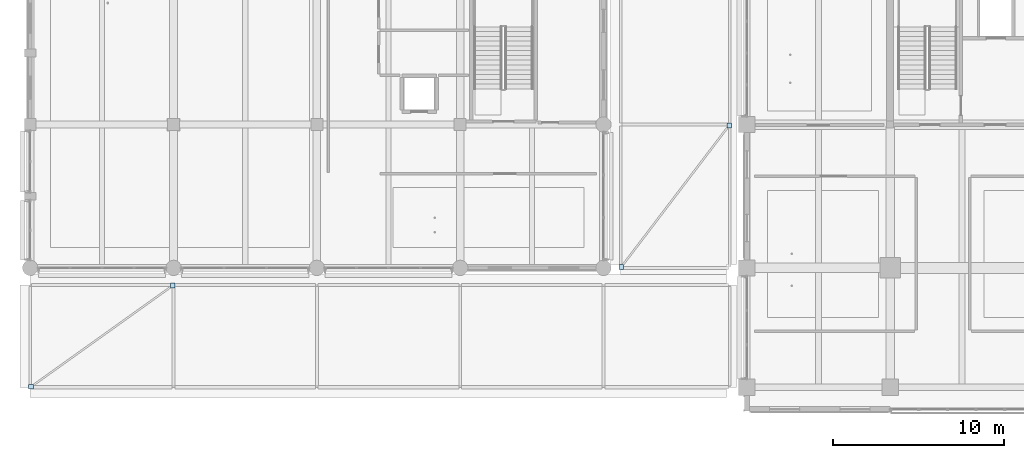
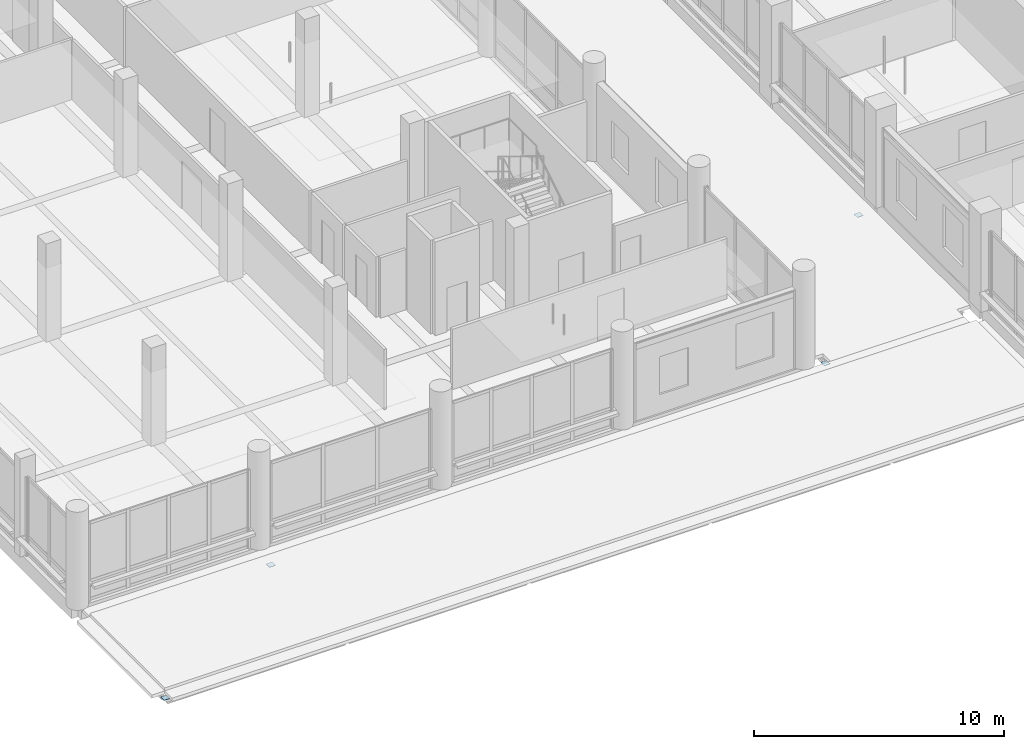
# One storey, part 44 of 128: 4 plates.
"""IFC4 building model written with IfcOpenShell, lengths in metres."""

from ifc_helpers import new_model, si_unit, direction, frame, origin, origin_2d, place, context, subcontext, project, spatial, rectangle, extrude, material, layer, layer_set, type_object, element, save


model = new_model("IFC4")

# Units and contexts
model_context = context("Model", 3, precision=1e-05, world=origin(), true_north=direction((0.0, 1.0)))
body_context = subcontext(model_context, "Body", "Model", "MODEL_VIEW")
ifc_project = project(units=[si_unit("LENGTHUNIT", "METRE"), si_unit("AREAUNIT", "SQUARE_METRE"), si_unit("VOLUMEUNIT", "CUBIC_METRE"), si_unit("PLANEANGLEUNIT", "RADIAN"), si_unit("MASSUNIT", "GRAM", prefix="KILO")], contexts=[model_context])

# Site, building, storey
site_placement = place(None, origin())
site = spatial("IfcSite", under=ifc_project, at=site_placement, CompositionType="ELEMENT")
building_placement = place(site_placement, origin())
building = spatial("IfcBuilding", under=site, at=building_placement, Name="Telukmera Botanical Conservatory", CompositionType="ELEMENT")
storey_placement = place(building_placement, frame((0.0, 0.0, 5.39990234375)))
storey = spatial("IfcBuildingStorey", under=building, at=storey_placement, Name="L01", CompositionType="ELEMENT", Elevation=5.39990234375)

# Plates
ifc_material = material(Name="Steel S355", Category="steel")
ifc_layer = layer(ifc_material, 0.01611328125)
ifc_layer_set = layer_set([ifc_layer], Name="Steel S355")
plate_type = type_object("IfcPlateType", Name="Plate_CP1", PredefinedType="USERDEFINED", material=ifc_layer_set)
for number, where, z_axis, x_axis, name in (
    (1, (8.44873046875, 10.635009765625, -0.387939453125), (0.0, 0.0, 1.0), (1.0, 0.0, 0.0), "CP1 Canopy Brace Cap forecourt"),
    (2, (16.751220703125, 16.565185546875, -0.387939453125), (0.0, 0.0, 1.0), (1.0, 0.0, 0.0), "CP1 Canopy Brace Cap forecourt"),
    (3, (43.036376953125, 17.647705078125, -0.387939453125), (0.0, 0.0, 1.0), (1.0, 0.0, 0.0), "CP1 Canopy Brace Cap west_arcade"),
    (4, (49.363525390625, 25.952392578125, -0.387939453125), (0.0, 0.0, 1.0), (1.0, 0.0, 0.0), "CP1 Canopy Brace Cap west_arcade"),
):
    element("IfcPlate", number, at=place(storey_placement, frame(where, z_axis=z_axis, x_axis=x_axis)), inside=storey, type_object=plate_type, Name=name, ObjectType="CAP_PLATE", PredefinedType="USERDEFINED", context=body_context, shape_type="SweptSolid", body=[
        extrude(rectangle(XDim=0.280029296875, YDim=0.280029296875, at=origin_2d()), origin(), (0.0, 0.0, 1.0), 0.01611328125),
    ])

save(model, "model.ifc")
